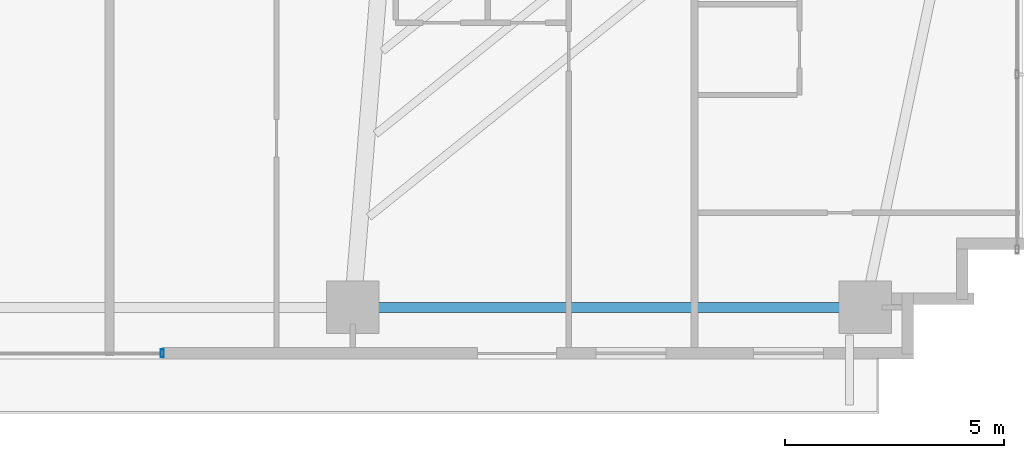
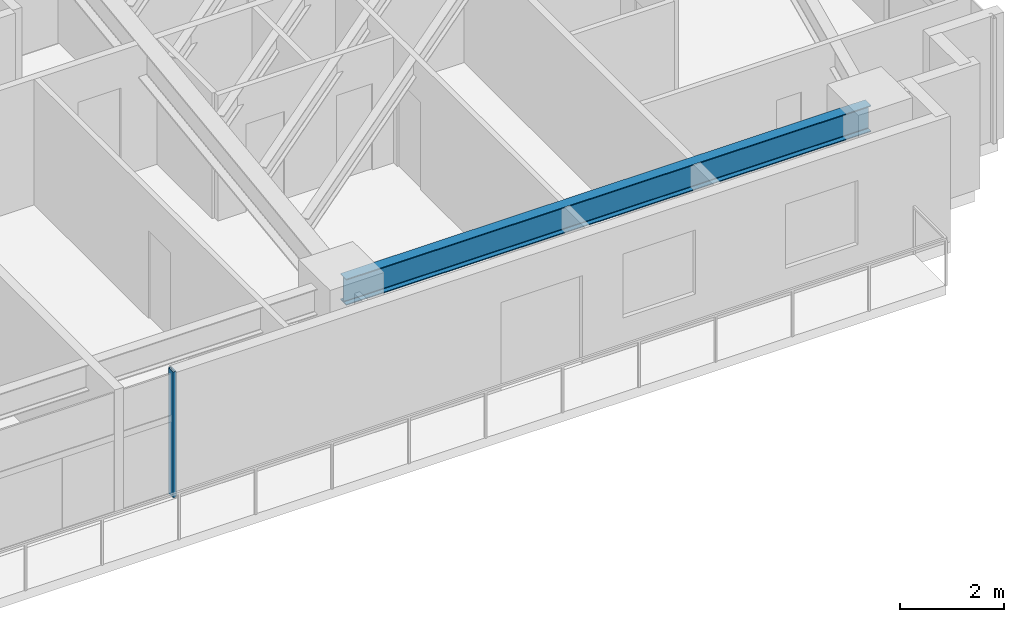
# One storey, part 12 of 25: 1 beam, 1 member, 1 element without a shape of its own.
"""IFC4 building model written with IfcOpenShell, lengths in metres."""

from ifc_helpers import new_model, si_unit, direction, frame, origin, origin_2d, place, context, subcontext, project, spatial, hollow_rectangle, i_section, extrude, source, transform, mapped, material, material_profile, profile_set, type_object, type_shapes, element, aggregate, save


model = new_model("IFC4")

# Units and contexts
model_context = context("Model", 3, precision=1e-05, world=origin(), true_north=direction((0.0, 1.0)))
body_context = subcontext(model_context, "Body", "Model", "MODEL_VIEW")
ifc_project = project(units=[si_unit("LENGTHUNIT", "METRE"), si_unit("AREAUNIT", "SQUARE_METRE"), si_unit("VOLUMEUNIT", "CUBIC_METRE"), si_unit("PLANEANGLEUNIT", "RADIAN"), si_unit("MASSUNIT", "GRAM", prefix="KILO")], contexts=[model_context])

# Site, building, storey
site_placement = place(None, origin())
site = spatial("IfcSite", under=ifc_project, at=site_placement, CompositionType="ELEMENT")
building_placement = place(site_placement, origin())
building = spatial("IfcBuilding", under=site, at=building_placement, Name="Astriad Promenade Condominiums", CompositionType="ELEMENT")
storey_placement = place(building_placement, frame((0.0, 0.0, 48.60009765625)))
storey = spatial("IfcBuildingStorey", under=building, at=storey_placement, Name="L13", CompositionType="ELEMENT", Elevation=48.60009765625)

# Beam
ifc_material_1 = material(Name="Steel ASTM A992 Grade 50", Category="steel")
ifc_material_profile_1 = material_profile(ifc_material_1, i_section(OverallWidth=0.22900390625, OverallDepth=0.612060546875, WebThickness=0.011962890625, FlangeThickness=0.01953125, FilletRadius=0.017822265625, at=origin_2d()), Name="W24X84")
ifc_profile_set_1 = profile_set([ifc_material_profile_1], Name="Steel ASTM A992 Grade 50")
beam_type = type_object("IfcBeamType", Name="STEEL SPANDREL BEAM W24X84", PredefinedType="SPANDREL", material=ifc_profile_set_1)
shared_shape_1 = source(origin(), body_context, "Body", "SweptSolid", [
    extrude(i_section(OverallWidth=0.22900390625, OverallDepth=0.612060546875, WebThickness=0.011962890625, FlangeThickness=0.01953125, FilletRadius=0.017822265625, at=origin_2d()), origin(), (0.0, 0.0, 1.0), 11.619873046875),
])
type_shapes(beam_type, [shared_shape_1])
beam_placement = place(storey_placement, frame((44.5400390625, 3.8798828125, 2.6337890625), z_axis=(1.0, 0.0, 0.0), x_axis=(0.0, 1.0, 0.0)))
element("IfcBeam", 1, at=beam_placement, inside=storey, type_object=beam_type, Name="Perimeter Spandrel Beam SP-S4-L13", PredefinedType="SPANDREL", context=body_context, shape_type="MappedRepresentation", body=[
    mapped(shared_shape_1, transform((0.0, 0.0, 0.0), scale=1.0)),
])

# Curtain wall, member
ifc_material_2 = material(Name="Anodised aluminium Black Dark Glass Unitised", Category="aluminium")
curtain_wall_type = type_object("IfcCurtainWallType", Name="CW-B1-DARK", PredefinedType="USERDEFINED", material=ifc_material_2)
curtain_wall_placement = place(storey_placement, origin())
curtain_wall = element("IfcCurtainWall", 2, at=curtain_wall_placement, inside=storey, type_object=curtain_wall_type, Name="CW-L13-S", ObjectType="UNITISED_CURTAIN_WALL", PredefinedType="USERDEFINED")
ifc_material_3 = material(Name="Anodised aluminium 6063-T6 Black", Category="aluminium")
ifc_material_profile_2 = material_profile(ifc_material_3, hollow_rectangle(XDim=0.074951171875, YDim=0.18505859375, WallThickness=0.00439453125, at=origin_2d()), Name="ALU-MUL-75X185")
ifc_profile_set_2 = profile_set([ifc_material_profile_2], Name="Anodised aluminium 6063-T6 Black")
member_type = type_object("IfcMemberType", Name="MUL-ALU-MUL-75X185", PredefinedType="MULLION", material=ifc_profile_set_2)
shared_shape_2 = source(origin(), body_context, "Body", "SweptSolid", [
    extrude(hollow_rectangle(XDim=0.074951171875, YDim=0.18505859375, WallThickness=0.00439453125, at=origin_2d()), origin(), (0.0, 0.0, 1.0), 2.93994140625),
])
type_shapes(member_type, [shared_shape_2])
member_placement = place(storey_placement, frame((40.14990234375, 2.830078125, 0.0), z_axis=(0.0, 0.0, 1.0), x_axis=(1.0, 0.0, 0.0)))
member = element("IfcMember", 3, at=member_placement, type_object=member_type, Name="CW-L13-S-MUL-00", PredefinedType="MULLION", context=body_context, shape_type="MappedRepresentation", body=[
    mapped(shared_shape_2, transform((0.0, 0.0, 0.0), scale=1.0)),
])
aggregate(curtain_wall, [member])

save(model, "model.ifc")
